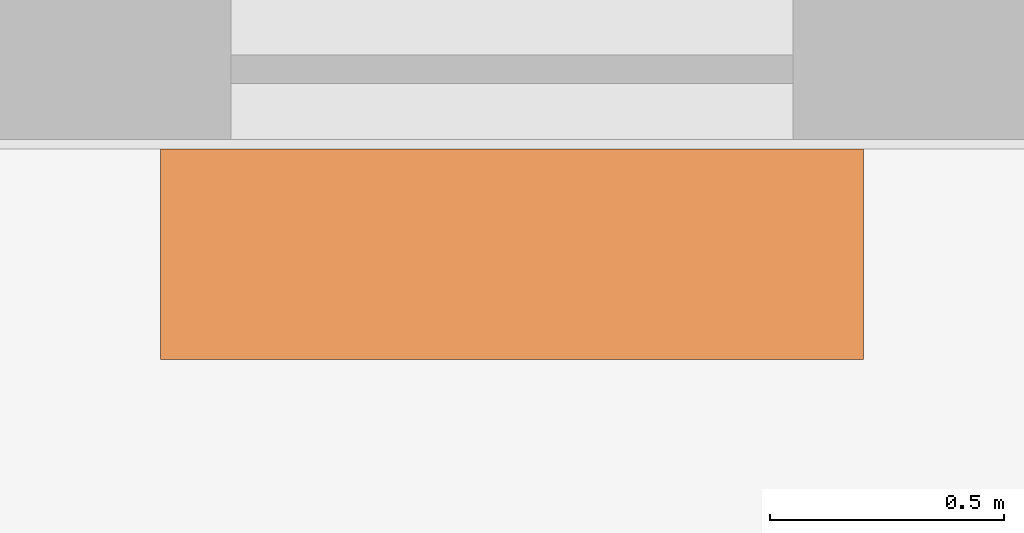
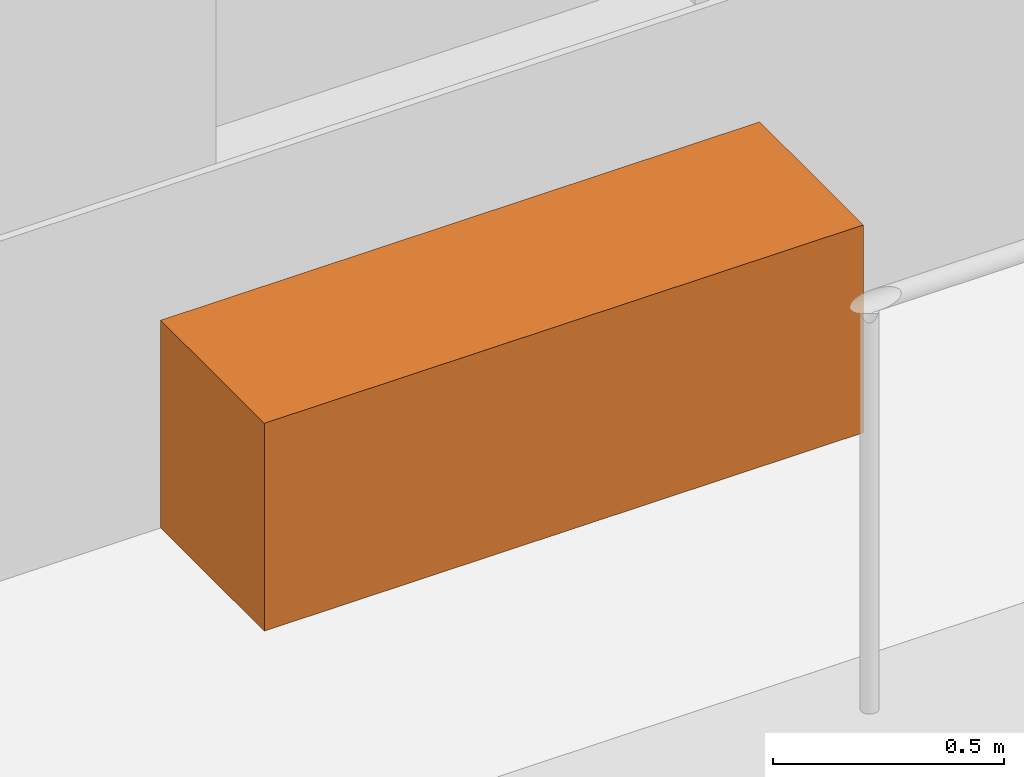
# One storey, part 13 of 13: 1 proxy.
"""IFC4 building model written with IfcOpenShell, lengths in metres."""

from ifc_helpers import new_model, si_unit, direction, frame, origin, origin_2d, place, context, subcontext, project, spatial, rectangle, extrude, element, save


model = new_model("IFC4")

# Units and contexts
model_context = context("Model", 3, precision=1e-05, world=origin(), true_north=direction((0.0, 1.0)))
body_context = subcontext(model_context, "Body", "Model", "MODEL_VIEW")
ifc_project = project(units=[si_unit("LENGTHUNIT", "METRE"), si_unit("AREAUNIT", "SQUARE_METRE"), si_unit("VOLUMEUNIT", "CUBIC_METRE"), si_unit("PLANEANGLEUNIT", "RADIAN"), si_unit("MASSUNIT", "GRAM", prefix="KILO")], contexts=[model_context])

# Site, building, storey
site_placement = place(None, origin())
site = spatial("IfcSite", under=ifc_project, at=site_placement, CompositionType="ELEMENT")
building_placement = place(site_placement, origin())
building = spatial("IfcBuilding", under=site, at=building_placement, Name="Candeia Pilgrim Tower and Theatre", CompositionType="ELEMENT")
storey_placement = place(building_placement, frame((0.0, 0.0, 202.199951171875)))
storey = spatial("IfcBuildingStorey", under=building, at=storey_placement, Name="L48", CompositionType="ELEMENT", Elevation=202.199951171875)

# Proxy
proxy_placement = place(storey_placement, frame((102.89990234375, 99.2548828125, 0.0), z_axis=(0.0, 0.0, 1.0), x_axis=(1.0, 0.0, 0.0)))
element("IfcBuildingElementProxy", 1, at=proxy_placement, inside=storey, Name="Planter", ObjectType="PLANTER", PredefinedType="USERDEFINED", context=body_context, shape_type="SweptSolid", body=[
    extrude(rectangle(XDim=1.5, YDim=0.449951171875, at=origin_2d()), origin(), (0.0, 0.0, 1.0), 0.550048828125),
])

save(model, "model.ifc")
